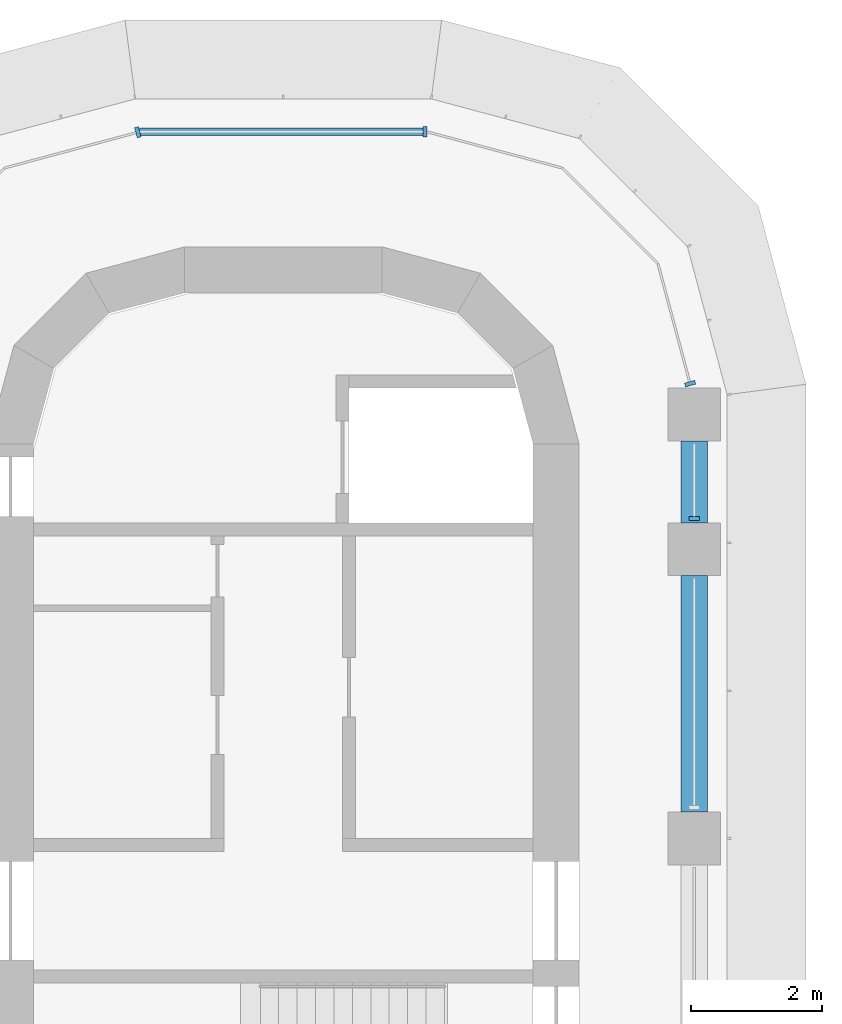
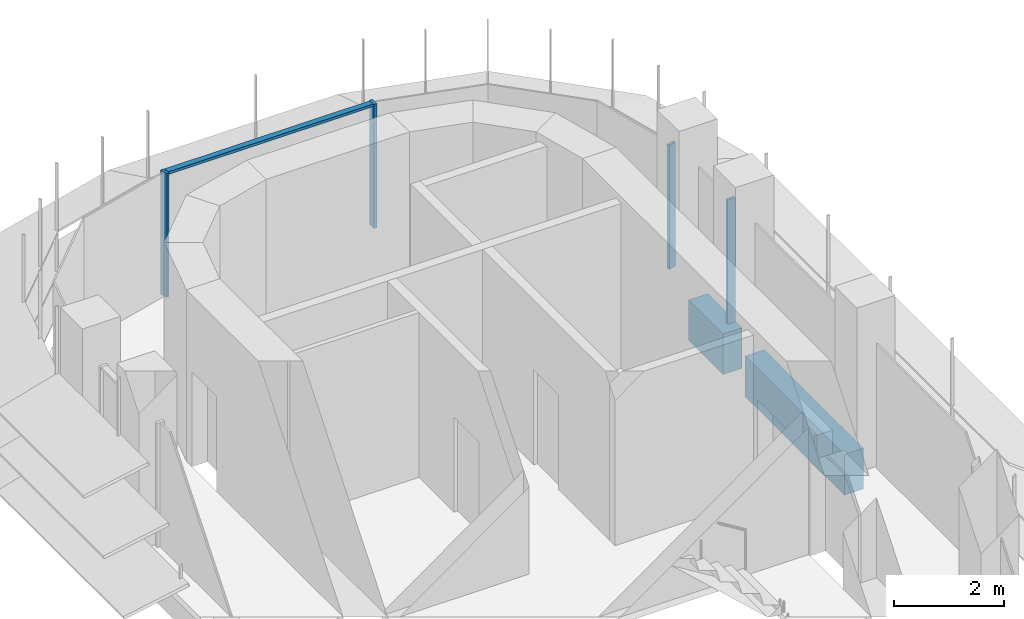
# One storey, part 9 of 19: 5 members, 2 beams, 4 elements without a shape of their own.
"""IFC4 building model written with IfcOpenShell, lengths in metres."""

from ifc_helpers import new_model, si_unit, direction, frame, origin, origin_2d, place, context, subcontext, project, spatial, polyline, rectangle, outline, extrude, source, transform, mapped, material, material_profile, profile_set, type_object, element, aggregate, save


model = new_model("IFC4")

# Units and contexts
model_context = context("Model", 3, precision=1e-05, world=origin(), true_north=direction((0.0, 1.0)))
body_context = subcontext(model_context, "Body", "Model", "MODEL_VIEW")
ifc_project = project(units=[si_unit("LENGTHUNIT", "METRE"), si_unit("AREAUNIT", "SQUARE_METRE"), si_unit("VOLUMEUNIT", "CUBIC_METRE"), si_unit("PLANEANGLEUNIT", "RADIAN"), si_unit("MASSUNIT", "GRAM", prefix="KILO")], contexts=[model_context])

# Site, building, storey
site_placement = place(None, origin())
site = spatial("IfcSite", under=ifc_project, at=site_placement, CompositionType="ELEMENT")
building_placement = place(site_placement, origin())
building = spatial("IfcBuilding", under=site, at=building_placement, Name="Zarbagh Exchange Tower", CompositionType="ELEMENT")
storey_placement = place(building_placement, frame((0.0, 0.0, 175.199951171875)))
storey = spatial("IfcBuildingStorey", under=building, at=storey_placement, Name="L42", CompositionType="ELEMENT", Elevation=175.199951171875)

# Beams
ifc_material_1 = material(Name="Concrete C50/60", Category="concrete")
ifc_material_profile = material_profile(ifc_material_1, rectangle(XDim=0.39990234375, YDim=0.89990234375, at=origin_2d()), Name="RC spandrel beam 400 x 900 C50/60")
ifc_profile_set = profile_set([ifc_material_profile], Name="Concrete C50/60")
beam_type = type_object("IfcBeamType", Name="RC spandrel beam 400 x 900 C50/60", PredefinedType="SPANDREL", material=ifc_profile_set)
beam_1_placement = place(storey_placement, frame((6.25, 26.300048828125, -0.599853515625), z_axis=(0.0, -1.0, 0.0), x_axis=(1.0, 0.0, 0.0)))
element("IfcBeam", 1, at=beam_1_placement, inside=storey, type_object=beam_type, Name="RC spandrel beam", PredefinedType="SPANDREL", context=body_context, shape_type="SweptSolid", body=[
    extrude(rectangle(XDim=0.39990234375, YDim=0.89990234375, at=origin_2d()), origin(), (0.0, 0.0, 1.0), 1.25),
])
beam_2_placement = place(storey_placement, frame((6.25, 24.25, -0.599853515625), z_axis=(0.0, -1.0, 0.0), x_axis=(1.0, 0.0, 0.0)))
element("IfcBeam", 2, at=beam_2_placement, inside=storey, type_object=beam_type, Name="RC spandrel beam", PredefinedType="SPANDREL", context=body_context, shape_type="SweptSolid", body=[
    extrude(rectangle(XDim=0.39990234375, YDim=0.89990234375, at=origin_2d()), origin(), (0.0, 0.0, 1.0), 3.60009765625),
])

# Curtain wall, member
ifc_material_2 = material(Name="Anodised aluminium frame and glazing", Category="aluminium")
curtain_wall_type = type_object("IfcCurtainWallType", Name="CWB Ribbon glazing, upper zones", PredefinedType="NOTDEFINED", material=ifc_material_2)
curtain_wall_1_placement = place(storey_placement, origin())
curtain_wall_1 = element("IfcCurtainWall", 3, at=curtain_wall_1_placement, inside=storey, type_object=curtain_wall_type, Name="CWB20 curtain wall", PredefinedType="NOTDEFINED")
ifc_material_3 = material(Name="Anodised aluminium frame", Category="aluminium")
member_type_1 = type_object("IfcMemberType", Name="MUB Mullion, anodised aluminium frame", PredefinedType="MULLION", material=ifc_material_3)
shared_shape_1 = source(origin(), body_context, "Body", "SweptSolid", [
    extrude(outline(polyline([(0.0, -0.080078125), (0.06005859375, -0.080078125), (0.06005859375, 0.080078125), (0.0, 0.080078125), (0.0, -0.080078125)])), origin(), (0.0, 0.0, 1.0), 2.75),
])
placement = place(storey_placement, origin())
member_1 = element("IfcMember", 4, at=placement, type_object=member_type_1, Name="CWB20 mullion 4.1", PredefinedType="MULLION", context=body_context, shape_type="MappedRepresentation", body=[
    mapped(shared_shape_1, transform((6.25, 25.090087890625, 0.0), x_axis=(0.0, 1.0, 0.0), y_axis=(-1.0, 0.0, 0.0), z_axis=(0.0, 0.0, 1.0))),
])
aggregate(curtain_wall_1, [member_1])

curtain_wall_2_placement = place(storey_placement, origin())
curtain_wall_2 = element("IfcCurtainWall", 5, at=curtain_wall_2_placement, inside=storey, type_object=curtain_wall_type, Name="CWB21 curtain wall", PredefinedType="NOTDEFINED")
member_2 = element("IfcMember", 6, at=placement, type_object=member_type_1, Name="CWB21 mullion 1.1", PredefinedType="MULLION", context=body_context, shape_type="MappedRepresentation", body=[
    mapped(shared_shape_1, transform((6.19482421875, 27.139892578125, 0.0), x_axis=(-0.258824779902, 0.965924289636, 0.0), y_axis=(-0.965924289636, -0.258824779902, 0.0), z_axis=(0.0, 0.0, 1.0))),
])
aggregate(curtain_wall_2, [member_2])

curtain_wall_3_placement = place(storey_placement, origin())
curtain_wall_3 = element("IfcCurtainWall", 7, at=curtain_wall_3_placement, inside=storey, type_object=curtain_wall_type, Name="CWB24 curtain wall", PredefinedType="NOTDEFINED")
member_3 = element("IfcMember", 8, at=placement, type_object=member_type_1, Name="CWB24 mullion 1.1", PredefinedType="MULLION", context=body_context, shape_type="MappedRepresentation", body=[
    mapped(shared_shape_1, transform((2.18408203125, 31.0, 0.0), x_axis=(-1.0, 0.0, 0.0), y_axis=(0.0, -1.0, 0.0), z_axis=(0.0, 0.0, 1.0))),
])

curtain_wall_4_placement = place(storey_placement, origin())
curtain_wall_4 = element("IfcCurtainWall", 9, at=curtain_wall_4_placement, inside=storey, type_object=curtain_wall_type, Name="CWB25 curtain wall", PredefinedType="NOTDEFINED")
member_4 = element("IfcMember", 10, at=placement, type_object=member_type_1, Name="CWB25 mullion 1.1", PredefinedType="MULLION", context=body_context, shape_type="MappedRepresentation", body=[
    mapped(shared_shape_1, transform((-2.18408203125, 31.0, 0.0), x_axis=(-0.965924289636, -0.258824779902, 0.0), y_axis=(0.258824779902, -0.965924289636, 0.0), z_axis=(0.0, 0.0, 1.0))),
])
aggregate(curtain_wall_4, [member_4])

# Member
member_type_2 = type_object("IfcMemberType", Name="TRB Transom, anodised aluminium frame", PredefinedType="USERDEFINED", material=ifc_material_3)
shared_shape_2 = source(origin(), body_context, "Body", "SweptSolid", [
    extrude(outline(polyline([(-0.06005859375, -0.06005859375), (0.0, -0.06005859375), (0.0, 0.06005859375), (-0.06005859375, 0.06005859375), (-0.06005859375, -0.06005859375)])), origin(), (0.0, 0.0, 1.0), 4.308349609375),
])
member_5 = element("IfcMember", 11, at=placement, type_object=member_type_2, Name="CWB24 transom 1.1", ObjectType="TRANSOM", PredefinedType="USERDEFINED", context=body_context, shape_type="MappedRepresentation", body=[
    mapped(shared_shape_2, transform((2.124267578125, 31.0, 2.75), x_axis=(0.0, 0.0, 1.0), y_axis=(0.0, 1.0, 0.0), z_axis=(-1.0, 0.0, 0.0))),
])

aggregate(curtain_wall_3, [member_3, member_5])

save(model, "model.ifc")
